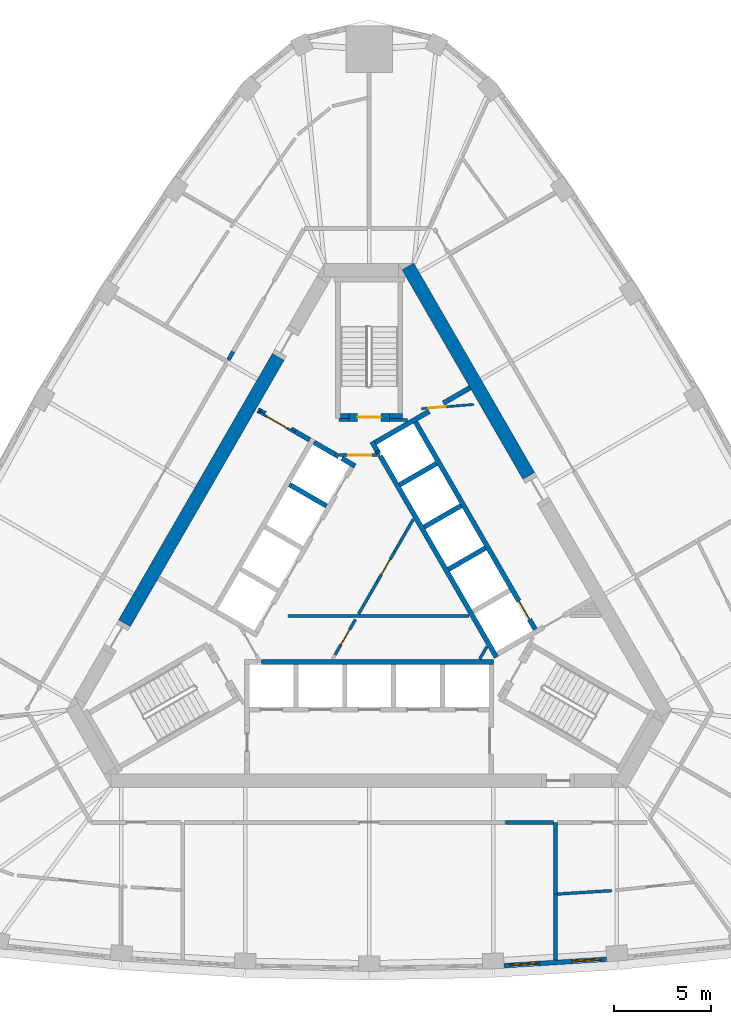
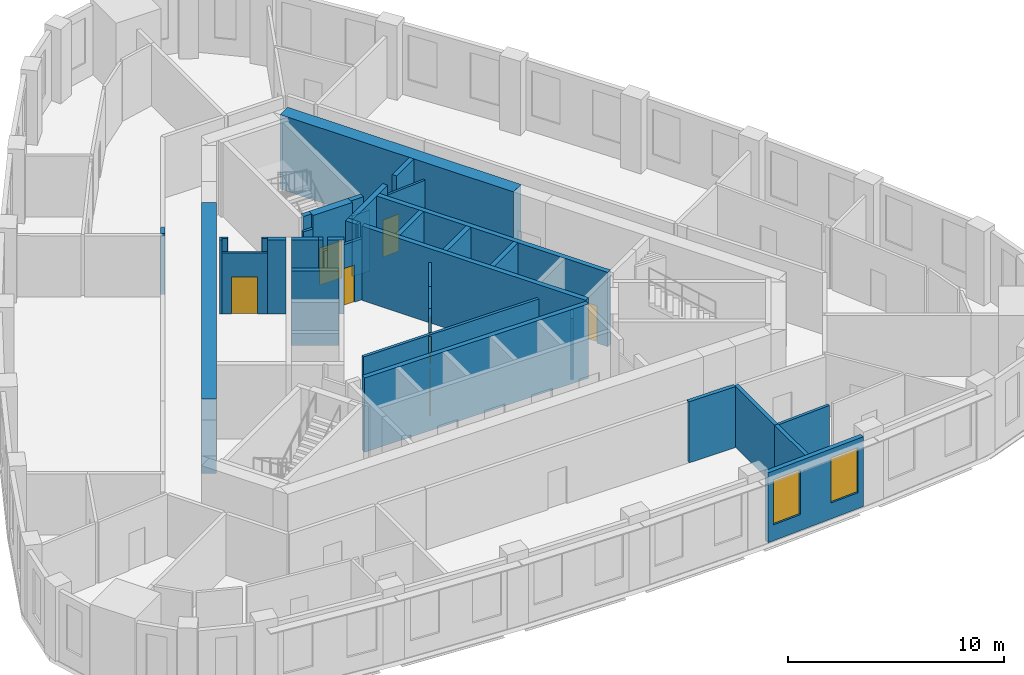
# One storey, part 5 of 10: 40 walls, 7 doors, 2 windows, 9 openings.
"""IFC4 building model written with IfcOpenShell, lengths in metres."""

import ifcopenshell
import ifcopenshell.guid

model = None  # the IFC model being written
_history = None  # IfcOwnerHistory: only IFC2X3 demands one
_inside = {}  # id of a spatial element -> (the spatial element, [elements in it])
_under = {}  # id of a project, library or spatial element -> (it, [spatial elements below it])
_declared = {}  # id of a project -> (the project, [libraries it declares])
_typed = {}  # id of a type object -> (the type object, [elements of that type])
_made_of = {}  # id of a material, layer set ... -> (it, [elements and type objects made of it])


def new_model(schema):
    """Start an empty IFC model of exactly this schema.

    Asked for "IFC4X3", IfcOpenShell would pick the latest addendum, in which some entities
    have other attributes; the version numbers below select the first issue.
    IFC2X3 requires an IfcOwnerHistory on every rooted entity: one is made here for all.
    """
    global model, _history
    if schema == "IFC4X3":
        model = ifcopenshell.file(schema_version=(4, 3, 0, 0))
    else:
        model = ifcopenshell.file(schema=schema)
    _inside.clear()
    _under.clear()
    _declared.clear()
    _typed.clear()
    _made_of.clear()
    _history = None
    if model.schema == "IFC2X3":
        org = make("IfcOrganization", Name="unknown")
        user = make(
            "IfcPersonAndOrganization",
            ThePerson=make("IfcPerson", FamilyName="unknown"),
            TheOrganization=org,
        )
        app = make(
            "IfcApplication",
            ApplicationDeveloper=org,
            Version="unknown",
            ApplicationFullName="unknown",
            ApplicationIdentifier="unknown",
        )
        _history = make(
            "IfcOwnerHistory",
            OwningUser=user,
            OwningApplication=app,
            ChangeAction="ADDED",
            CreationDate=0,
        )
    return model


def make(cls, **values):
    """One entity of the class cls with the attributes given. An attribute that is None is left unset."""
    return model.create_entity(
        cls, **{name: value for name, value in values.items() if value is not None}
    )


def rooted(cls, **values):
    """An entity with a GlobalId (a new one), such as an element, a storey or a relation."""
    return make(cls, GlobalId=ifcopenshell.guid.new(), OwnerHistory=_history, **values)


def si_unit(unit_type, name, prefix=None):
    """IfcSIUnit, for example si_unit("LENGTHUNIT", "METRE", prefix="MILLI")."""
    return make("IfcSIUnit", UnitType=unit_type, Prefix=prefix, Name=name)


def assignment(units):
    """IfcUnitAssignment: the units of a project."""
    return None if units is None else make("IfcUnitAssignment", Units=units)


def point(xyz):
    """IfcCartesianPoint."""
    return None if xyz is None else make("IfcCartesianPoint", Coordinates=xyz)


def direction(xyz):
    """IfcDirection."""
    return None if xyz is None else make("IfcDirection", DirectionRatios=xyz)


def frame(location, z_axis=None, x_axis=None):
    """IfcAxis2Placement3D, a coordinate frame: its origin and axes. An axis left out is left unset."""
    return make(
        "IfcAxis2Placement3D",
        Location=point(location),
        Axis=direction(z_axis),
        RefDirection=direction(x_axis),
    )


def frame_2d(location, x_axis=None):
    """IfcAxis2Placement2D, a coordinate frame in the plane: its origin and x axis."""
    return make(
        "IfcAxis2Placement2D", Location=point(location), RefDirection=direction(x_axis)
    )


def origin():
    """The frame at (0, 0, 0) with its axes left unset."""
    return frame((0.0, 0.0, 0.0))


def place(relative_to, where):
    """IfcLocalPlacement: puts the frame where relative to a parent placement (None: the world)."""
    return make(
        "IfcLocalPlacement", PlacementRelTo=relative_to, RelativePlacement=where
    )


def context(
    kind, dimensions, precision=None, world=None, true_north=None, identifier=None
):
    """IfcGeometricRepresentationContext, for example the 3D "Model" context."""
    return make(
        "IfcGeometricRepresentationContext",
        ContextIdentifier=identifier,
        ContextType=kind,
        CoordinateSpaceDimension=dimensions,
        Precision=precision,
        WorldCoordinateSystem=world,
        TrueNorth=true_north,
    )


def subcontext(parent, identifier, kind, view, scale=None):
    """IfcGeometricRepresentationSubContext, for example "Body" below "Model"."""
    return make(
        "IfcGeometricRepresentationSubContext",
        ContextIdentifier=identifier,
        ContextType=kind,
        ParentContext=parent,
        TargetScale=scale,
        TargetView=view,
    )


def project(units=None, contexts=None):
    """IfcProject with its units and contexts."""
    return rooted(
        "IfcProject",
        Name="project",
        RepresentationContexts=contexts,
        UnitsInContext=assignment(units),
    )


def spatial(cls, under=None, at=None, **own):
    """A site, building, storey or space (cls), placed at a placement, below another one or the project."""
    s = rooted(cls, ObjectPlacement=at, **own)
    if under is not None:
        _under.setdefault(under.id(), (under, []))[1].append(s)
    return s


def polyline(points):
    """IfcPolyline through the points."""
    return make("IfcPolyline", Points=[point(p) for p in points])


def profile(cls, at=None, kind="AREA", **sizes):
    """A parametric profile (cls). Its sizes go by their IFC names, for example OverallWidth=200.0."""
    return make(cls, ProfileType=kind, Position=at, **sizes)


def rectangle(**sizes):
    """IfcRectangleProfileDef."""
    return profile("IfcRectangleProfileDef", **sizes)


def outline(outer, holes=None, kind="AREA"):
    """IfcArbitraryClosedProfileDef: a profile drawn as a closed curve; with holes, ...WithVoids."""
    if holes is None:
        return make("IfcArbitraryClosedProfileDef", ProfileType=kind, OuterCurve=outer)
    return make(
        "IfcArbitraryProfileDefWithVoids",
        ProfileType=kind,
        OuterCurve=outer,
        InnerCurves=holes,
    )


def extrude(swept, where, along, depth):
    """IfcExtrudedAreaSolid: the profile swept, set in the frame where, extruded along a direction by depth."""
    return make(
        "IfcExtrudedAreaSolid",
        SweptArea=swept,
        Position=where,
        ExtrudedDirection=direction(along),
        Depth=depth,
    )


def shape(context_of_items, identifier, shape_type, items):
    """IfcShapeRepresentation: the items that make up one representation, for example the "Body"."""
    return make(
        "IfcShapeRepresentation",
        ContextOfItems=context_of_items,
        RepresentationIdentifier=identifier,
        RepresentationType=shape_type,
        Items=items,
    )


def material(Name=None, Category=None):
    """IfcMaterial."""
    return make("IfcMaterial", Name=Name, Category=Category)


def layer(
    of_material, thickness, ventilated=None, Name=None, Category=None, Priority=None
):
    """IfcMaterialLayer: one layer of a wall or slab, of a material (None: an air gap)."""
    return make(
        "IfcMaterialLayer",
        Material=of_material,
        LayerThickness=thickness,
        IsVentilated=ventilated,
        Name=Name,
        Category=Category,
        Priority=Priority,
    )


def layer_set(layers, Name=None):
    """IfcMaterialLayerSet."""
    return make("IfcMaterialLayerSet", MaterialLayers=layers, LayerSetName=Name)


def made_of(thing, what):
    """Note that an element or type object is made of a material, layer set ...; save() writes the relation."""
    if what is not None:
        _made_of.setdefault(what.id(), (what, []))[1].append(thing)
    return thing


def type_object(cls, material=None, **own):
    """A type object (cls), such as IfcWallType, which elements share."""
    return made_of(rooted(cls, **own), material)


def element(
    cls,
    number,
    at=None,
    inside=None,
    cuts=None,
    type_object=None,
    material=None,
    context=None,
    identifier="Body",
    shape_type=None,
    held_by="IfcProductDefinitionShape",
    body=None,
    shapes=None,
    **own,
):
    """One element of the class cls, such as IfcWall. Its Tag is "e" and its number.

    at: its placement. inside: the storey or other place that contains it. cuts: it is an
    opening in that element (IfcRelVoidsElement). A single representation is given by context,
    identifier, shape_type and body (its items); several are given by shapes. held_by: the class
    of the entity that holds the representations. save() writes the other relations.
    """
    e = rooted(cls, Tag="e%d" % number, ObjectPlacement=at, **own)
    if body is not None:
        shapes = [shape(context, identifier, shape_type, body)]
    if shapes is not None:
        e.Representation = make(held_by, Representations=shapes)
    if inside is not None:
        _inside.setdefault(inside.id(), (inside, []))[1].append(e)
    if cuts is not None:
        rooted(
            "IfcRelVoidsElement", RelatingBuildingElement=cuts, RelatedOpeningElement=e
        )
    if type_object is not None:
        _typed.setdefault(type_object.id(), (type_object, []))[1].append(e)
    return made_of(e, material)


def fill(opening, filler):
    """IfcRelFillsElement: the door or window that sits in an opening."""
    return rooted(
        "IfcRelFillsElement",
        RelatingOpeningElement=opening,
        RelatedBuildingElement=filler,
    )


def aggregate(whole, parts):
    """IfcRelAggregates: a whole, such as a stair, and the parts it consists of."""
    return rooted("IfcRelAggregates", RelatingObject=whole, RelatedObjects=parts)


def save(model, path):
    """Write the relations noted so far, then the file.

    IfcRelAggregates (storeys below a building ...), IfcRelContainedInSpatialStructure (elements
    in a storey), IfcRelDefinesByType, IfcRelAssociatesMaterial and IfcRelDeclares: one each for
    every whole, place, type object, material and project.
    """
    for whole, parts in _under.values():
        aggregate(whole, parts)
    for where, things in _inside.values():
        rooted(
            "IfcRelContainedInSpatialStructure",
            RelatedElements=things,
            RelatingStructure=where,
        )
    for kind, things in _typed.values():
        rooted("IfcRelDefinesByType", RelatedObjects=things, RelatingType=kind)
    for what, things in _made_of.values():
        rooted("IfcRelAssociatesMaterial", RelatedObjects=things, RelatingMaterial=what)
    for by, libraries in _declared.values():
        rooted("IfcRelDeclares", RelatingContext=by, RelatedDefinitions=libraries)
    model.write(path)


model = new_model("IFC4")

# Units and contexts
model_context = context("Model", 3, precision=1e-05, world=origin(), true_north=direction((0.0, 1.0)))
body_context = subcontext(model_context, "Body", "Model", "MODEL_VIEW")
ifc_project = project(units=[si_unit("LENGTHUNIT", "METRE"), si_unit("AREAUNIT", "SQUARE_METRE"), si_unit("VOLUMEUNIT", "CUBIC_METRE"), si_unit("PLANEANGLEUNIT", "RADIAN"), si_unit("MASSUNIT", "GRAM", prefix="KILO")], contexts=[model_context])

# Site, building, storey
site_placement = place(None, origin())
site = spatial("IfcSite", under=ifc_project, at=site_placement, CompositionType="ELEMENT")
building_placement = place(site_placement, origin())
building = spatial("IfcBuilding", under=site, at=building_placement, Name="Mestral Congress Tower", CompositionType="ELEMENT")
storey_placement = place(building_placement, frame((0.0, 0.0, 247.800048828125)))
storey = spatial("IfcBuildingStorey", under=building, at=storey_placement, Name="L58", CompositionType="ELEMENT", Elevation=247.800048828125)

# Walls
ifc_material_1 = material(Name="Fire-rated board partition")
ifc_layer_1 = layer(ifc_material_1, 0.14990234375)
ifc_layer_set_1 = layer_set([ifc_layer_1], Name="Fire-rated board partition")
wall_type_1 = type_object("IfcWallType", Name="Core partition 150", PredefinedType="PARTITIONING", material=ifc_layer_set_1)
wall_1_placement = place(storey_placement, frame((1.050048828125, 8.62548828125, 0.0), z_axis=(0.0, 0.0, 1.0), x_axis=(1.0, 0.0, 0.0)))
element("IfcWall", 1, at=wall_1_placement, inside=storey, type_object=wall_type_1, Name="L58 core wall", PredefinedType="PARTITIONING", context=body_context, shape_type="SweptSolid", body=[
    extrude(rectangle(XDim=0.9287109375, YDim=0.14990234375, at=frame_2d((0.46435546875, 0.0))), origin(), (0.0, 0.0, 1.0), 3.449951171875),
])
wall_2_placement = place(storey_placement, frame((-1.56396484375, 8.62548828125, 0.0), z_axis=(0.0, 0.0, 1.0), x_axis=(1.0, 0.0, 0.0)))
element("IfcWall", 2, at=wall_2_placement, inside=storey, type_object=wall_type_1, Name="L58 core wall", PredefinedType="PARTITIONING", context=body_context, shape_type="SweptSolid", body=[
    extrude(rectangle(XDim=0.513916015625, YDim=0.14990234375, at=frame_2d((0.2568359375, 0.0))), origin(), (0.0, 0.0, 1.0), 3.449951171875),
])
wall_3_placement = place(storey_placement, frame((5.704833984375, -3.718017578125, 0.0), z_axis=(0.0, 0.0, 1.0), x_axis=(0.499962090823, 0.866047289552, 0.0)))
element("IfcWall", 3, at=wall_3_placement, inside=storey, type_object=wall_type_1, Name="L58 core wall", PredefinedType="PARTITIONING", context=body_context, shape_type="SweptSolid", body=[
    extrude(rectangle(XDim=0.73486328125, YDim=0.14990234375, at=frame_2d((0.367431640625, 0.0))), origin(), (0.0, 0.0, 1.0), 3.449951171875),
])
wall_4_placement = place(storey_placement, frame((-4.199951171875, -1.5, 0.0), z_axis=(0.0, 0.0, 1.0), x_axis=(1.0, 0.0, 0.0)))
element("IfcWall", 4, at=wall_4_placement, inside=storey, type_object=wall_type_1, Name="L58 core wall", PredefinedType="PARTITIONING", context=body_context, shape_type="SweptSolid", body=[
    extrude(rectangle(XDim=9.359375, YDim=0.14990234375, at=frame_2d((4.6796875, 0.0))), origin(), (0.0, 0.0, 1.0), 3.449951171875),
])
wall_5_placement = place(storey_placement, frame((-0.54443359375, -1.393310546875, 0.0), z_axis=(0.0, 0.0, 1.0), x_axis=(0.499928740635, 0.866066541489, 0.0)))
element("IfcWall", 5, at=wall_5_placement, inside=storey, type_object=wall_type_1, Name="L58 core wall", PredefinedType="PARTITIONING", context=body_context, shape_type="SweptSolid", body=[
    extrude(rectangle(XDim=1.912353515625, YDim=0.14990234375, at=frame_2d((0.9560546875, 0.0))), origin(), (0.0, 0.0, 1.0), 3.449951171875),
])
wall_6_placement = place(storey_placement, frame((1.311767578125, 1.822021484375, 0.0), z_axis=(0.0, 0.0, 1.0), x_axis=(0.500003549559, 0.866023354436, 0.0)))
element("IfcWall", 6, at=wall_6_placement, inside=storey, type_object=wall_type_1, Name="L58 core wall", PredefinedType="PARTITIONING", context=body_context, shape_type="SweptSolid", body=[
    extrude(rectangle(XDim=1.9296875, YDim=0.14990234375, at=frame_2d((0.96484375, 0.0))), origin(), (0.0, 0.0, 1.0), 3.449951171875),
])

# Wall, opening, door
wall_7_placement = place(storey_placement, frame((-1.759765625, -3.498046875, 0.0), z_axis=(0.0, 0.0, 1.0), x_axis=(0.499977374825, 0.866038466041, 0.0)))
wall_7 = element("IfcWall", 7, at=wall_7_placement, inside=storey, type_object=wall_type_1, Name="L58 door wall", PredefinedType="PARTITIONING", context=body_context, shape_type="SweptSolid", body=[
    extrude(rectangle(XDim=2.10009765625, YDim=0.14990234375, at=frame_2d((1.050048828125, 0.0))), origin(), (0.0, 0.0, 1.0), 3.449951171875),
])
opening_1_placement = place(wall_7_placement, frame((0.60009765625, 0.0, 0.0)))
opening_1 = element("IfcOpeningElement", 8, at=opening_1_placement, cuts=wall_7, Name="Opening CD1-HUB0", PredefinedType="OPENING", context=body_context, shape_type="SweptSolid", body=[
    extrude(rectangle(XDim=0.89990234375, YDim=2.10009765625, at=frame_2d((0.449951171875, 1.050048828125))), frame((0.0, 0.0849609375, 0.0), z_axis=(0.0, -1.0, 0.0), x_axis=(1.0, 0.0, 0.0)), (0.0, 0.0, 1.0), 0.169921875),
])
ifc_material_2 = material(Name="Fire-rated steel door set", Category="steel")
door_type_1 = type_object("IfcDoorType", Name="Core door CD 900x2100", OperationType="SINGLE_SWING_LEFT", PredefinedType="DOOR", material=ifc_material_2)
door_1_placement = place(opening_1_placement, origin())
door_1 = element("IfcDoor", 9, at=door_1_placement, inside=storey, type_object=door_type_1, Name="Door CD1-HUB0", OperationType="SINGLE_SWING_LEFT", OverallHeight=2.10009765625, OverallWidth=0.89990234375, PredefinedType="DOOR", context=body_context, shape_type="SweptSolid", body=[
    extrude(rectangle(XDim=0.89990234375, YDim=2.10009765625, at=frame_2d((0.449951171875, 1.050048828125))), frame((0.0, 0.02490234375, 0.0), z_axis=(0.0, -1.0, 0.0), x_axis=(1.0, 0.0, 0.0)), (0.0, 0.0, 1.0), 0.050048828125),
])
fill(opening_1, door_1)

wall_8_placement = place(storey_placement, frame((-1.534423828125, 6.800048828125, 0.0), z_axis=(0.0, 0.0, 1.0), x_axis=(1.0, 0.0, 0.0)))
wall_8 = element("IfcWall", 10, at=wall_8_placement, inside=storey, type_object=wall_type_1, Name="L58 door wall", PredefinedType="PARTITIONING", context=body_context, shape_type="SweptSolid", body=[
    extrude(rectangle(XDim=2.099853515625, YDim=0.14990234375, at=frame_2d((1.0498046875, 0.0))), origin(), (0.0, 0.0, 1.0), 3.449951171875),
])
opening_2_placement = place(wall_8_placement, frame((0.449951171875, 0.0, 0.0)))
opening_2 = element("IfcOpeningElement", 11, at=opening_2_placement, cuts=wall_8, Name="Opening CD2-FF", PredefinedType="OPENING", context=body_context, shape_type="SweptSolid", body=[
    extrude(rectangle(XDim=1.199951171875, YDim=2.10009765625, at=frame_2d((0.60009765625, 1.050048828125))), frame((0.0, 0.0849609375, 0.0), z_axis=(0.0, -1.0, 0.0), x_axis=(1.0, 0.0, 0.0)), (0.0, 0.0, 1.0), 0.169921875),
])
door_type_2 = type_object("IfcDoorType", Name="Core door CD 1200x2100", OperationType="SINGLE_SWING_LEFT", PredefinedType="DOOR", material=ifc_material_2)
door_2_placement = place(opening_2_placement, origin())
door_2 = element("IfcDoor", 12, at=door_2_placement, inside=storey, type_object=door_type_2, Name="Door CD2-FF", OperationType="SINGLE_SWING_LEFT", OverallHeight=2.10009765625, OverallWidth=1.199951171875, PredefinedType="DOOR", context=body_context, shape_type="SweptSolid", body=[
    extrude(rectangle(XDim=1.199951171875, YDim=2.10009765625, at=frame_2d((0.60009765625, 1.050048828125))), frame((0.0, 0.02490234375, 0.0), z_axis=(0.0, -1.0, 0.0), x_axis=(1.0, 0.0, 0.0)), (0.0, 0.0, 1.0), 0.050048828125),
])
fill(opening_2, door_2)

wall_9_placement = place(storey_placement, frame((0.41162109375, 0.26318359375, 0.0), z_axis=(0.0, 0.0, 1.0), x_axis=(0.500062916607, 0.865989075817, 0.0)))
wall_9 = element("IfcWall", 13, at=wall_9_placement, inside=storey, type_object=wall_type_1, Name="L58 door wall", PredefinedType="PARTITIONING", context=body_context, shape_type="SweptSolid", body=[
    extrude(rectangle(XDim=1.800048828125, YDim=0.14990234375, at=frame_2d((0.89990234375, 0.0))), origin(), (0.0, 0.0, 1.0), 3.449951171875),
])
opening_3_placement = place(wall_9_placement, frame((0.449951171875, 0.0, 0.0)))
opening_3 = element("IfcOpeningElement", 14, at=opening_3_placement, cuts=wall_9, Name="Opening SD-HUB1", PredefinedType="OPENING", context=body_context, shape_type="SweptSolid", body=[
    extrude(rectangle(XDim=0.89990234375, YDim=2.10009765625, at=frame_2d((0.449951171875, 1.050048828125))), frame((0.0, 0.0849609375, 0.0), z_axis=(0.0, -1.0, 0.0), x_axis=(1.0, 0.0, 0.0)), (0.0, 0.0, 1.0), 0.169921875),
])
door_type_3 = type_object("IfcDoorType", Name="Core door SR 900x2100", OperationType="SINGLE_SWING_LEFT", PredefinedType="DOOR", material=ifc_material_2)
door_3_placement = place(opening_3_placement, origin())
door_3 = element("IfcDoor", 15, at=door_3_placement, inside=storey, type_object=door_type_3, Name="Door SD-HUB1", OperationType="SINGLE_SWING_LEFT", OverallHeight=2.10009765625, OverallWidth=0.89990234375, PredefinedType="DOOR", context=body_context, shape_type="SweptSolid", body=[
    extrude(rectangle(XDim=0.89990234375, YDim=2.10009765625, at=frame_2d((0.449951171875, 1.050048828125))), frame((0.0, 0.02490234375, 0.0), z_axis=(0.0, -1.0, 0.0), x_axis=(1.0, 0.0, 0.0)), (0.0, 0.0, 1.0), 0.050048828125),
])
fill(opening_3, door_3)

ifc_layer_2 = layer(ifc_material_1, 0.1201171875)
ifc_layer_set_2 = layer_set([ifc_layer_2], Name="Fire-rated board partition")
wall_type_2 = type_object("IfcWallType", Name="Core partition 150 door-wall 120", PredefinedType="PARTITIONING", material=ifc_layer_set_2)
wall_10_placement = place(storey_placement, frame((5.3984375, 9.418701171875, 0.0), z_axis=(0.0, 0.0, 1.0), x_axis=(-0.996653416376, -0.081743303248, 0.0)))
wall_10 = element("IfcWall", 16, at=wall_10_placement, inside=storey, type_object=wall_type_2, Name="L58 door wall", PredefinedType="PARTITIONING", context=body_context, shape_type="SweptSolid", body=[
    extrude(rectangle(XDim=2.699951171875, YDim=0.119873046875, at=frame_2d((1.35009765625, 0.0))), origin(), (0.0, 0.0, 1.0), 3.449951171875),
])
opening_4_placement = place(wall_10_placement, frame((1.449951171875, 0.0, 0.0)))
opening_4 = element("IfcOpeningElement", 17, at=opening_4_placement, cuts=wall_10, Name="Opening TD2", PredefinedType="OPENING", context=body_context, shape_type="SweptSolid", body=[
    extrude(rectangle(XDim=0.89990234375, YDim=2.10009765625, at=frame_2d((0.449951171875, 1.050048828125))), frame((0.0, 0.06982421875, 0.0), z_axis=(0.0, -1.0, 0.0), x_axis=(1.0, 0.0, 0.0)), (0.0, 0.0, 1.0), 0.139892578125),
])
door_4_placement = place(opening_4_placement, origin())
door_4 = element("IfcDoor", 18, at=door_4_placement, inside=storey, type_object=door_type_3, Name="Door TD2", OperationType="SINGLE_SWING_LEFT", OverallHeight=2.10009765625, OverallWidth=0.89990234375, PredefinedType="DOOR", context=body_context, shape_type="SweptSolid", body=[
    extrude(rectangle(XDim=0.89990234375, YDim=2.10009765625, at=frame_2d((0.449951171875, 1.050048828125))), frame((0.0, 0.02490234375, 0.0), z_axis=(0.0, -1.0, 0.0), x_axis=(1.0, 0.0, 0.0)), (0.0, 0.0, 1.0), 0.050048828125),
])
fill(opening_4, door_4)

wall_11_placement = place(storey_placement, frame((-5.65869140625, 9.01171875, 0.0), z_axis=(0.0, 0.0, 1.0), x_axis=(0.866009402589, -0.500027713859, 0.0)))
wall_11 = element("IfcWall", 19, at=wall_11_placement, inside=storey, type_object=wall_type_2, Name="L58 door wall", PredefinedType="PARTITIONING", context=body_context, shape_type="SweptSolid", body=[
    extrude(rectangle(XDim=2.10009765625, YDim=0.1201171875, at=frame_2d((1.050048828125, 0.0))), origin(), (0.0, 0.0, 1.0), 3.449951171875),
])
opening_5_placement = place(wall_11_placement, frame((0.449951171875, 0.0, 0.0)))
opening_5 = element("IfcOpeningElement", 20, at=opening_5_placement, cuts=wall_11, Name="Opening LB2-WL2", PredefinedType="OPENING", context=body_context, shape_type="SweptSolid", body=[
    extrude(rectangle(XDim=1.199951171875, YDim=2.10009765625, at=frame_2d((0.60009765625, 1.050048828125))), frame((0.0, 0.070068359375, 0.0), z_axis=(0.0, -1.0, 0.0), x_axis=(1.0, 0.0, 0.0)), (0.0, 0.0, 1.0), 0.14013671875),
])
door_type_4 = type_object("IfcDoorType", Name="Core door LB 1200x2100", OperationType="SINGLE_SWING_LEFT", PredefinedType="DOOR", material=ifc_material_2)
door_5_placement = place(opening_5_placement, origin())
door_5 = element("IfcDoor", 21, at=door_5_placement, inside=storey, type_object=door_type_4, Name="Door LB2-WL2", OperationType="SINGLE_SWING_LEFT", OverallHeight=2.10009765625, OverallWidth=1.199951171875, PredefinedType="DOOR", context=body_context, shape_type="SweptSolid", body=[
    extrude(rectangle(XDim=1.199951171875, YDim=2.10009765625, at=frame_2d((0.60009765625, 1.050048828125))), frame((0.0, 0.02490234375, 0.0), z_axis=(0.0, -1.0, 0.0), x_axis=(1.0, 0.0, 0.0)), (0.0, 0.0, 1.0), 0.050048828125),
])
fill(opening_5, door_5)

# Walls
ifc_material_3 = material(Name="Concrete C60/75", Category="concrete")
ifc_layer_3 = layer(ifc_material_3, 0.699951171875)
ifc_layer_set_3 = layer_set([ifc_layer_3], Name="Concrete C60/75")
wall_type_3 = type_object("IfcWallType", Name="Core wall RC 700", PredefinedType="SOLIDWALL", material=ifc_layer_set_3)
wall_12_placement = place(storey_placement, frame((8.235107421875, 5.736083984375, 0.0), z_axis=(0.0, 0.0, 1.0), x_axis=(-0.499983401189, 0.8660349869, 0.0)))
element("IfcWall", 22, at=wall_12_placement, inside=storey, type_object=wall_type_3, Name="L58 core wall", PredefinedType="SOLIDWALL", context=body_context, shape_type="SweptSolid", body=[
    extrude(rectangle(XDim=12.47216796875, YDim=0.699951171875, at=frame_2d((6.236083984375, 0.0))), origin(), (0.0, 0.0, 1.0), 4.199951171875),
])
wall_13_placement = place(storey_placement, frame((-12.624755859375, -1.866943359375, 0.0), z_axis=(0.0, 0.0, 1.0), x_axis=(0.499996974394, 0.866027150612, 0.0)))
element("IfcWall", 23, at=wall_13_placement, inside=storey, type_object=wall_type_3, Name="L58 core wall", PredefinedType="SOLIDWALL", context=body_context, shape_type="SweptSolid", body=[
    extrude(rectangle(XDim=15.8583984375, YDim=0.699951171875, at=frame_2d((7.92919921875, 0.0))), origin(), (0.0, 0.0, 1.0), 4.199951171875),
])

# Wall, openings, windows
ifc_material_4 = material(Name="Precast concrete C40/50 with limestone facing", Category="masonry")
ifc_layer_4 = layer(ifc_material_4, 0.239990234375)
ifc_layer_set_4 = layer_set([ifc_layer_4], Name="Precast concrete C40/50 with limestone facing")
wall_type_4 = type_object("IfcWallType", Name="Facade stone wall 240", PredefinedType="SOLIDWALL", material=ifc_layer_set_4)
wall_14_placement = place(storey_placement, frame((6.965087890625, -19.54296875, 0.0), z_axis=(0.0, 0.0, 1.0), x_axis=(0.9980633213, 0.062206162685, 0.0)))
wall_14 = element("IfcWall", 24, at=wall_14_placement, inside=storey, type_object=wall_type_4, Name="Facade wall F0-04", PredefinedType="SOLIDWALL", context=body_context, shape_type="SweptSolid", body=[
    extrude(rectangle(XDim=5.29833984375, YDim=0.239990234375, at=frame_2d((2.649169921875, 0.0))), origin(), (0.0, 0.0, 1.0), 3.949951171875),
])
opening_6_placement = place(wall_14_placement, frame((0.294677734375, 0.0, 0.89990234375)))
opening_6 = element("IfcOpeningElement", 25, at=opening_6_placement, cuts=wall_14, Name="Opening W4", PredefinedType="OPENING", context=body_context, shape_type="SweptSolid", body=[
    extrude(rectangle(XDim=1.5, YDim=2.550048828125, at=frame_2d((0.75, 1.27490234375))), frame((0.0, 0.1298828125, 0.0), z_axis=(0.0, -1.0, 0.0), x_axis=(1.0, 0.0, 0.0)), (0.0, 0.0, 1.0), 0.260009765625),
])
opening_7_placement = place(wall_14_placement, frame((3.503662109375, 0.0, 0.89990234375)))
opening_7 = element("IfcOpeningElement", 26, at=opening_7_placement, cuts=wall_14, Name="Opening W4", PredefinedType="OPENING", context=body_context, shape_type="SweptSolid", body=[
    extrude(rectangle(XDim=1.5, YDim=2.550048828125, at=frame_2d((0.75, 1.27490234375))), frame((0.0, 0.1298828125, 0.0), z_axis=(0.0, -1.0, 0.0), x_axis=(1.0, 0.0, 0.0)), (0.0, 0.0, 1.0), 0.260009765625),
])
ifc_material_5 = material(Name="Clear low-emissivity double glazing", Category="glass")
window_type = type_object("IfcWindowType", Name="Facade punched window 1500 x 2550 sill 900", PartitioningType="SINGLE_PANEL", PredefinedType="WINDOW", material=ifc_material_5)
window_1_placement = place(opening_6_placement, origin())
window_1 = element("IfcWindow", 27, at=window_1_placement, inside=storey, type_object=window_type, Name="Window F0-04a", OverallHeight=2.550048828125, OverallWidth=1.5, PartitioningType="SINGLE_PANEL", PredefinedType="WINDOW", context=body_context, shape_type="SweptSolid", body=[
    extrude(rectangle(XDim=1.5, YDim=2.550048828125, at=frame_2d((0.75, 1.27490234375))), frame((0.0, 0.0400390625, 0.0), z_axis=(0.0, -1.0, 0.0), x_axis=(1.0, 0.0, 0.0)), (0.0, 0.0, 1.0), 0.06005859375),
])
fill(opening_6, window_1)
window_2_placement = place(opening_7_placement, origin())
window_2 = element("IfcWindow", 28, at=window_2_placement, inside=storey, type_object=window_type, Name="Window F0-04b", OverallHeight=2.550048828125, OverallWidth=1.5, PartitioningType="SINGLE_PANEL", PredefinedType="WINDOW", context=body_context, shape_type="SweptSolid", body=[
    extrude(rectangle(XDim=1.5, YDim=2.550048828125, at=frame_2d((0.75, 1.27490234375))), frame((0.0, 0.0400390625, 0.0), z_axis=(0.0, -1.0, 0.0), x_axis=(1.0, 0.0, 0.0)), (0.0, 0.0, 1.0), 0.06005859375),
])
fill(opening_7, window_2)

# Walls
ifc_material_6 = material(Name="Plasterboard partition on steel studs", Category="steel")
ifc_layer_5 = layer(ifc_material_6, 0.14990234375)
ifc_layer_set_5 = layer_set([ifc_layer_5], Name="Plasterboard partition on steel studs")
wall_type_5 = type_object("IfcWallType", Name="Office partition 150", PredefinedType="PARTITIONING", material=ifc_layer_set_5)
wall_15_placement = place(storey_placement, frame((9.7197265625, -15.844482421875, 0.0), z_axis=(0.0, 0.0, 1.0), x_axis=(0.998063411199, 0.062204720286, 0.0)))
element("IfcWall", 29, at=wall_15_placement, inside=storey, type_object=wall_type_5, Name="Partition", PredefinedType="PARTITIONING", context=body_context, shape_type="SweptSolid", body=[
    extrude(rectangle(XDim=2.80224609375, YDim=0.14990234375, at=frame_2d((1.401123046875, 0.0))), origin(), (0.0, 0.0, 1.0), 3.449951171875),
])
ifc_material_7 = material(Name="Dense masonry wall, plastered", Category="masonry")
ifc_layer_6 = layer(ifc_material_7, 0.199951171875)
ifc_layer_set_6 = layer_set([ifc_layer_6], Name="Dense masonry wall, plastered")
wall_type_6 = type_object("IfcWallType", Name="Office tenancy wall 200", PredefinedType="PARTITIONING", material=ifc_layer_set_6)
wall_16_placement = place(storey_placement, frame((9.61962890625, -15.8466796875, 0.0), z_axis=(0.0, 0.0, 1.0), x_axis=(0.0, -1.0, 0.0)))
element("IfcWall", 30, at=wall_16_placement, inside=storey, type_object=wall_type_6, Name="Tenancy wall", PredefinedType="PARTITIONING", context=body_context, shape_type="SweptSolid", body=[
    extrude(rectangle(XDim=3.41064453125, YDim=0.199951171875, at=frame_2d((1.705322265625, 0.0))), origin(), (0.0, 0.0, 1.0), 3.449951171875),
])
wall_17_placement = place(storey_placement, frame((9.61962890625, -12.14990234375, 0.0), z_axis=(0.0, 0.0, 1.0), x_axis=(0.0, -1.0, 0.0)))
element("IfcWall", 31, at=wall_17_placement, inside=storey, type_object=wall_type_6, Name="Tenancy wall", PredefinedType="PARTITIONING", context=body_context, shape_type="SweptSolid", body=[
    extrude(rectangle(XDim=3.704833984375, YDim=0.199951171875, at=frame_2d((1.8525390625, 0.0))), origin(), (0.0, 0.0, 1.0), 3.449951171875),
])
wall_18_placement = place(storey_placement, frame((7.030029296875, -12.14990234375, 0.0), z_axis=(0.0, 0.0, 1.0), x_axis=(1.0, 0.0, 0.0)))
element("IfcWall", 32, at=wall_18_placement, inside=storey, type_object=wall_type_6, Name="Tenancy wall", PredefinedType="PARTITIONING", context=body_context, shape_type="SweptSolid", body=[
    extrude(rectangle(XDim=2.48974609375, YDim=0.199951171875, at=frame_2d((1.244873046875, 0.0))), origin(), (0.0, 0.0, 1.0), 3.449951171875),
])
wall_19_placement = place(storey_placement, frame((-7.022216796875, 12.13720703125, 0.0), z_axis=(0.0, 0.0, 1.0), x_axis=(-0.500159754115, -0.865933150054, 0.0)))
element("IfcWall", 33, at=wall_19_placement, inside=storey, type_object=wall_type_6, Name="Tenancy wall", PredefinedType="PARTITIONING", context=body_context, shape_type="SweptSolid", body=[
    extrude(rectangle(XDim=0.483154296875, YDim=0.199951171875, at=frame_2d((0.24169921875, 0.0))), origin(), (0.0, 0.0, 1.0), 3.449951171875),
])
ifc_layer_7 = layer(ifc_material_3, 0.25)
ifc_layer_set_7 = layer_set([ifc_layer_7], Name="Concrete C60/75")
wall_type_7 = type_object("IfcWallType", Name="Shaft wall RC 250", PredefinedType="SOLIDWALL", material=ifc_layer_set_7)
wall_20_placement = place(storey_placement, frame((-5.544921875, -3.875, 0.0), z_axis=(0.0, 0.0, 1.0), x_axis=(1.0, 0.0, 0.0)))
element("IfcWall", 34, at=wall_20_placement, inside=storey, type_object=wall_type_7, Name="L58 core wall", PredefinedType="SOLIDWALL", context=body_context, shape_type="SweptSolid", body=[
    extrude(rectangle(XDim=11.969970703125, YDim=0.25, at=frame_2d((5.98486328125, 0.0))), origin(), (0.0, 0.0, 1.0), 4.199951171875),
])
wall_21_placement = place(storey_placement, frame((0.473388671875, 6.93017578125, 0.0), z_axis=(0.0, 0.0, 1.0), x_axis=(-0.49972245349, 0.866185586049, 0.0)))
element("IfcWall", 35, at=wall_21_placement, inside=storey, type_object=wall_type_7, Name="L58 core wall", PredefinedType="SOLIDWALL", context=body_context, shape_type="SweptSolid", body=[
    extrude(rectangle(XDim=0.10986328125, YDim=0.25, at=frame_2d((0.054931640625, 0.0))), origin(), (0.0, 0.0, 1.0), 4.199951171875),
])
wall_22_placement = place(storey_placement, frame((6.568359375, -3.626708984375, 0.0), z_axis=(0.0, 0.0, 1.0), x_axis=(-0.499999455981, 0.866025717874, 0.0)))
element("IfcWall", 36, at=wall_22_placement, inside=storey, type_object=wall_type_7, Name="L58 core wall", PredefinedType="SOLIDWALL", context=body_context, shape_type="SweptSolid", body=[
    extrude(rectangle(XDim=11.97802734375, YDim=0.25, at=frame_2d((5.989013671875, 0.0))), origin(), (0.0, 0.0, 1.0), 4.199951171875),
])
wall_23_placement = place(storey_placement, frame((0.41748046875, 7.027099609375, 0.0), z_axis=(0.0, 0.0, 1.0), x_axis=(-0.500210807569, 0.865903659763, 0.0)))
element("IfcWall", 37, at=wall_23_placement, inside=storey, type_object=wall_type_7, Name="L58 core wall", PredefinedType="SOLIDWALL", context=body_context, shape_type="SweptSolid", body=[
    extrude(rectangle(XDim=0.548095703125, YDim=0.25, at=frame_2d((0.27392578125, 0.0))), origin(), (0.0, 0.0, 1.0), 4.199951171875),
])
wall_24_placement = place(storey_placement, frame((3.10009765625, 9.064453125, 0.0), z_axis=(0.0, 0.0, 1.0), x_axis=(-0.866030133475, -0.499991807846, 0.0)))
element("IfcWall", 38, at=wall_24_placement, inside=storey, type_object=wall_type_7, Name="L58 core wall", PredefinedType="SOLIDWALL", context=body_context, shape_type="SweptSolid", body=[
    extrude(rectangle(XDim=3.216796875, YDim=0.25, at=frame_2d((1.6083984375, 0.0))), origin(), (0.0, 0.0, 1.0), 4.199951171875),
])
wall_25_placement = place(storey_placement, frame((1.57421875, 5.273681640625, 0.0), z_axis=(0.0, 0.0, 1.0), x_axis=(0.866028486751, 0.499994660107, 0.0)))
element("IfcWall", 39, at=wall_25_placement, inside=storey, type_object=wall_type_7, Name="L58 core wall", PredefinedType="SOLIDWALL", context=body_context, shape_type="SweptSolid", body=[
    extrude(rectangle(XDim=2.19970703125, YDim=0.25, at=frame_2d((1.099853515625, 0.0))), origin(), (0.0, 0.0, 1.0), 4.199951171875),
])
for number, where, z_axis, x_axis, name in (
    (40, (2.833984375, 3.091064453125, 0.0), (0.0, 0.0, 1.0), (0.866008176907, 0.50002983664, 0.0), "L58 core wall"),
    (41, (4.093994140625, 0.90869140625, 0.0), (0.0, 0.0, 1.0), (0.866008176907, 0.50002983664, 0.0), "L58 core wall"),
):
    element("IfcWall", number, at=place(storey_placement, frame(where, z_axis=z_axis, x_axis=x_axis)), inside=storey, type_object=wall_type_7, Name=name, PredefinedType="SOLIDWALL", context=body_context, shape_type="SweptSolid", body=[
        extrude(rectangle(XDim=2.199951171875, YDim=0.25, at=frame_2d((1.10009765625, 0.0))), origin(), (0.0, 0.0, 1.0), 4.199951171875),
    ])
wall_26_placement = place(storey_placement, frame((3.82958984375, 9.485595703125, 0.0), z_axis=(0.0, 0.0, 1.0), x_axis=(0.865986202621, 0.500067892261, 0.0)))
element("IfcWall", 42, at=wall_26_placement, inside=storey, type_object=wall_type_7, Name="L58 core wall", PredefinedType="SOLIDWALL", context=body_context, shape_type="SweptSolid", body=[
    extrude(rectangle(XDim=1.590576171875, YDim=0.25, at=frame_2d((0.79541015625, 0.0))), origin(), (0.0, 0.0, 1.0), 4.199951171875),
])
wall_27_placement = place(storey_placement, frame((-1.75830078125, 6.834716796875, 0.0), z_axis=(0.0, 0.0, 1.0), x_axis=(0.865982457891, -0.500074377092, 0.0)))
element("IfcWall", 43, at=wall_27_placement, inside=storey, type_object=wall_type_7, Name="L58 core wall", PredefinedType="SOLIDWALL", context=body_context, shape_type="SweptSolid", body=[
    extrude(rectangle(XDim=0.2001953125, YDim=0.25, at=frame_2d((0.10009765625, 0.0))), origin(), (0.0, 0.0, 1.0), 4.199951171875),
])
wall_28_placement = place(storey_placement, frame((-1.760009765625, 6.835693359375, 0.0), z_axis=(0.0, 0.0, 1.0), x_axis=(-0.865952863304, 0.500125622755, 0.0)))
element("IfcWall", 44, at=wall_28_placement, inside=storey, type_object=wall_type_7, Name="L58 core wall", PredefinedType="SOLIDWALL", context=body_context, shape_type="SweptSolid", body=[
    extrude(rectangle(XDim=1.258056640625, YDim=0.25, at=frame_2d((0.62890625, 0.0))), origin(), (0.0, 0.0, 1.0), 4.199951171875),
])
wall_29_placement = place(storey_placement, frame((-0.7275390625, 6.23974609375, 0.0), z_axis=(0.0, 0.0, 1.0), x_axis=(-0.865955664968, 0.500120771724, 0.0)))
element("IfcWall", 45, at=wall_29_placement, inside=storey, type_object=wall_type_7, Name="L58 core wall", PredefinedType="SOLIDWALL", context=body_context, shape_type="SweptSolid", body=[
    extrude(rectangle(XDim=0.778076171875, YDim=0.25, at=frame_2d((0.38916015625, 0.0))), origin(), (0.0, 0.0, 1.0), 4.199951171875),
])
wall_30_placement = place(storey_placement, frame((-2.2041015625, 4.182373046875, 0.0), z_axis=(0.0, 0.0, 1.0), x_axis=(-0.866008176907, 0.50002983664, 0.0)))
element("IfcWall", 46, at=wall_30_placement, inside=storey, type_object=wall_type_7, Name="L58 core wall", PredefinedType="SOLIDWALL", context=body_context, shape_type="SweptSolid", body=[
    extrude(rectangle(XDim=2.199951171875, YDim=0.25, at=frame_2d((1.10009765625, 0.0))), origin(), (0.0, 0.0, 1.0), 4.199951171875),
])
wall_31_placement = place(storey_placement, frame((-5.724609375, 9.124755859375, 0.0), z_axis=(0.0, 0.0, 1.0), x_axis=(0.866185586049, -0.49972245349, 0.0)))
element("IfcWall", 47, at=wall_31_placement, inside=storey, type_object=wall_type_7, Name="L58 core wall", PredefinedType="SOLIDWALL", context=body_context, shape_type="SweptSolid", body=[
    extrude(rectangle(XDim=0.10986328125, YDim=0.25, at=frame_2d((0.054931640625, 0.0))), origin(), (0.0, 0.0, 1.0), 4.199951171875),
])
wall_32_placement = place(storey_placement, frame((-3.06591796875, 7.58984375, 0.0), z_axis=(0.0, 0.0, 1.0), x_axis=(-0.866081358704, 0.49990307071, 0.0)))
element("IfcWall", 48, at=wall_32_placement, inside=storey, type_object=wall_type_7, Name="L58 core wall", PredefinedType="SOLIDWALL", context=body_context, shape_type="SweptSolid", body=[
    extrude(rectangle(XDim=0.858154296875, YDim=0.25, at=frame_2d((0.42919921875, 0.0))), origin(), (0.0, 0.0, 1.0), 4.199951171875),
])
placement = place(storey_placement, origin())
element("IfcWall", 49, at=placement, inside=storey, type_object=wall_type_7, Name="L58 core wall", PredefinedType="SOLIDWALL", context=body_context, shape_type="SweptSolid", body=[
    extrude(outline(polyline([(-3.748291015625, 8.1279296875), (-3.813232421875, 8.015380859375), (-4.026611328125, 8.138671875), (-4.0166015625, 8.156005859375), (-4.007568359375, 8.17333984375), (-4.000244140625, 8.191650390625), (-3.994873046875, 8.21044921875), (-3.991455078125, 8.229736328125), (-3.98974609375, 8.24951171875), (-3.989990234375, 8.267578125), (-3.748291015625, 8.1279296875)])), origin(), (0.0, 0.0, 1.0), 4.199951171875),
])
element("IfcWall", 50, at=placement, inside=storey, type_object=wall_type_7, Name="L58 core wall", PredefinedType="SOLIDWALL", context=body_context, shape_type="SweptSolid", body=[
    extrude(outline(polyline([(-5.688720703125, 8.959716796875), (-5.690185546875, 8.960693359375), (-5.565185546875, 9.177001953125), (-5.318603515625, 9.03466796875), (-5.334716796875, 9.02587890625), (-5.3505859375, 9.0146484375), (-5.36572265625, 9.001953125), (-5.37939453125, 8.98779296875), (-5.3916015625, 8.972412109375), (-5.402099609375, 8.955810546875), (-5.412109375, 8.938720703125), (-5.628662109375, 9.063720703125), (-5.628662109375, 9.063720703125), (-5.688720703125, 8.959716796875)])), origin(), (0.0, 0.0, 1.0), 4.199951171875),
])

# Wall, opening, door
wall_35_placement = place(storey_placement, frame((8.565185546875, -2.185302734375, 0.0), z_axis=(0.0, 0.0, 1.0), x_axis=(-0.499997954832, 0.866026584559, 0.0)))
wall_35 = element("IfcWall", 51, at=wall_35_placement, inside=storey, type_object=wall_type_7, Name="L58 door wall", PredefinedType="SOLIDWALL", context=body_context, shape_type="SweptSolid", body=[
    extrude(rectangle(XDim=12.35009765625, YDim=0.25, at=frame_2d((6.175048828125, 0.0))), origin(), (0.0, 0.0, 1.0), 4.199951171875),
])
opening_8_placement = place(wall_35_placement, frame((0.5849609375, 0.0, 0.0)))
opening_8 = element("IfcOpeningElement", 52, at=opening_8_placement, cuts=wall_35, Name="Opening LD-NEB1", PredefinedType="OPENING", context=body_context, shape_type="SweptSolid", body=[
    extrude(rectangle(XDim=1.10009765625, YDim=2.10009765625, at=frame_2d((0.550048828125, 1.050048828125))), frame((0.0, 0.135009765625, 0.0), z_axis=(0.0, -1.0, 0.0), x_axis=(1.0, 0.0, 0.0)), (0.0, 0.0, 1.0), 0.27001953125),
])
door_type_5 = type_object("IfcDoorType", Name="Core door LD 1100x2100", OperationType="DOUBLE_DOOR_SLIDING", PredefinedType="DOOR", material=ifc_material_2)
door_6_placement = place(opening_8_placement, origin())
door_6 = element("IfcDoor", 53, at=door_6_placement, inside=storey, type_object=door_type_5, Name="Door LD-NEB1", OperationType="DOUBLE_DOOR_SLIDING", OverallHeight=2.10009765625, OverallWidth=1.10009765625, PredefinedType="DOOR", context=body_context, shape_type="SweptSolid", body=[
    extrude(rectangle(XDim=1.10009765625, YDim=2.10009765625, at=frame_2d((0.550048828125, 1.050048828125))), frame((0.0, 0.02490234375, 0.0), z_axis=(0.0, -1.0, 0.0), x_axis=(1.0, 0.0, 0.0)), (0.0, 0.0, 1.0), 0.050048828125),
])
fill(opening_8, door_6)

# Walls
ifc_layer_8 = layer(ifc_material_3, 0.25)
ifc_layer_set_8 = layer_set([ifc_layer_8], Name="Concrete C60/75")
wall_type_8 = type_object("IfcWallType", Name="Stair wall RC 250", PredefinedType="SOLIDWALL", material=ifc_layer_set_8)
wall_36_placement = place(storey_placement, frame((1.050048828125, 8.824951171875, 0.0), z_axis=(0.0, 0.0, 1.0), x_axis=(1.0, 0.0, 0.0)))
element("IfcWall", 54, at=wall_36_placement, inside=storey, type_object=wall_type_8, Name="L58 core wall", PredefinedType="SOLIDWALL", context=body_context, shape_type="SweptSolid", body=[
    extrude(rectangle(XDim=0.675048828125, YDim=0.25, at=frame_2d((0.33740234375, 0.0))), origin(), (0.0, 0.0, 1.0), 4.199951171875),
])
wall_37_placement = place(storey_placement, frame((-1.47509765625, 8.824951171875, 0.0), z_axis=(0.0, 0.0, 1.0), x_axis=(1.0, 0.0, 0.0)))
element("IfcWall", 55, at=wall_37_placement, inside=storey, type_object=wall_type_8, Name="L58 core wall", PredefinedType="SOLIDWALL", context=body_context, shape_type="SweptSolid", body=[
    extrude(rectangle(XDim=0.425048828125, YDim=0.25, at=frame_2d((0.21240234375, 0.0))), origin(), (0.0, 0.0, 1.0), 4.199951171875),
])

# Wall, opening, door
ifc_layer_9 = layer(ifc_material_3, 0.39990234375)
ifc_layer_set_9 = layer_set([ifc_layer_9], Name="Concrete C60/75")
wall_type_9 = type_object("IfcWallType", Name="Stair wall RC 250 door-wall 400", PredefinedType="SOLIDWALL", material=ifc_layer_set_9)
wall_38_placement = place(storey_placement, frame((1.050048828125, 8.75, 0.0), z_axis=(0.0, 0.0, 1.0), x_axis=(-1.0, 0.0, 0.0)))
wall_38 = element("IfcWall", 56, at=wall_38_placement, inside=storey, type_object=wall_type_9, Name="L58 door wall", PredefinedType="SOLIDWALL", context=body_context, shape_type="SweptSolid", body=[
    extrude(rectangle(XDim=2.10009765625, YDim=0.39990234375, at=frame_2d((1.050048828125, 0.0))), origin(), (0.0, 0.0, 1.0), 4.199951171875),
])
opening_9_placement = place(wall_38_placement, frame((0.449951171875, 0.0, 0.0)))
opening_9 = element("IfcOpeningElement", 57, at=opening_9_placement, cuts=wall_38, Name="Opening ST-D2", PredefinedType="OPENING", context=body_context, shape_type="SweptSolid", body=[
    extrude(rectangle(XDim=1.199951171875, YDim=2.10009765625, at=frame_2d((0.60009765625, 1.050048828125))), frame((0.0, 0.2099609375, 0.0), z_axis=(0.0, -1.0, 0.0), x_axis=(1.0, 0.0, 0.0)), (0.0, 0.0, 1.0), 0.419921875),
])
door_type_6 = type_object("IfcDoorType", Name="Core door ST 1200x2100", OperationType="SINGLE_SWING_LEFT", PredefinedType="DOOR", material=ifc_material_2)
door_7_placement = place(opening_9_placement, origin())
door_7 = element("IfcDoor", 58, at=door_7_placement, inside=storey, type_object=door_type_6, Name="Door ST-D2", OperationType="SINGLE_SWING_LEFT", OverallHeight=2.10009765625, OverallWidth=1.199951171875, PredefinedType="DOOR", context=body_context, shape_type="SweptSolid", body=[
    extrude(rectangle(XDim=1.199951171875, YDim=2.10009765625, at=frame_2d((0.60009765625, 1.050048828125))), frame((0.0, 0.02490234375, 0.0), z_axis=(0.0, -1.0, 0.0), x_axis=(1.0, 0.0, 0.0)), (0.0, 0.0, 1.0), 0.050048828125),
])
fill(opening_9, door_7)

save(model, "model.ifc")
